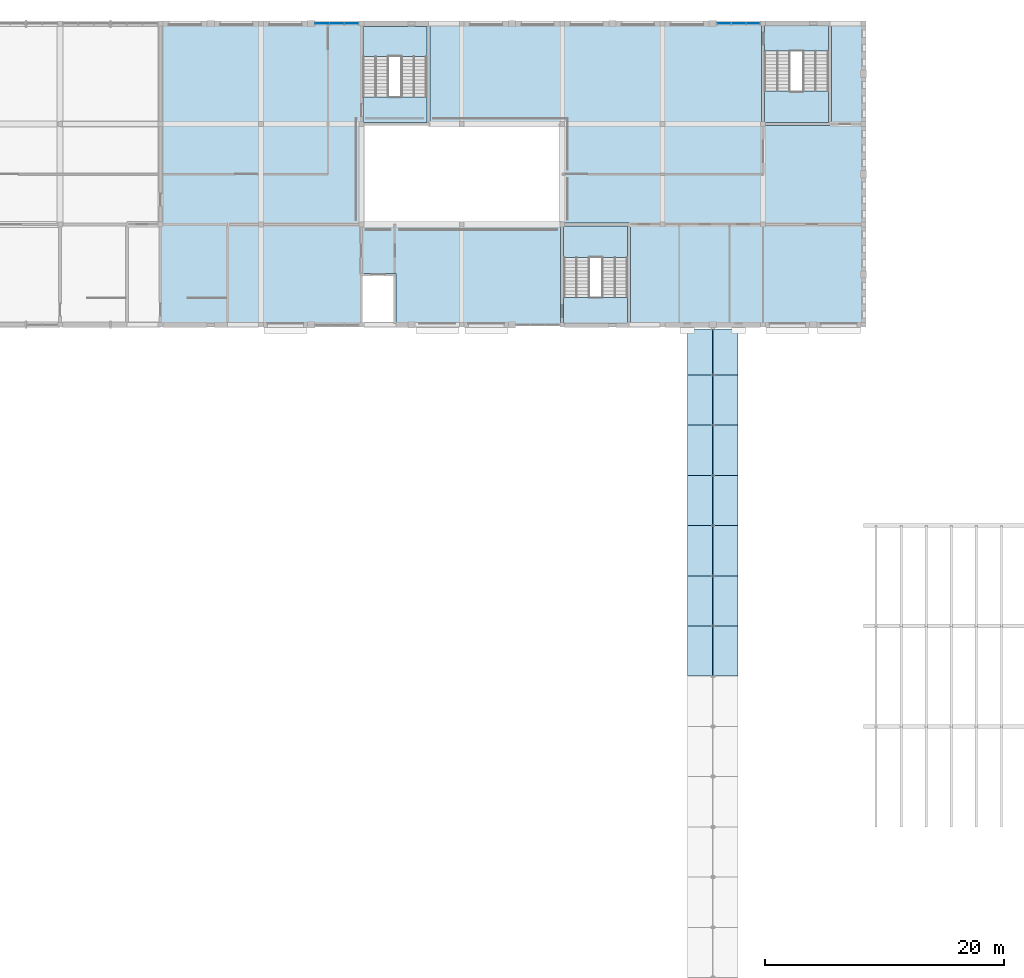
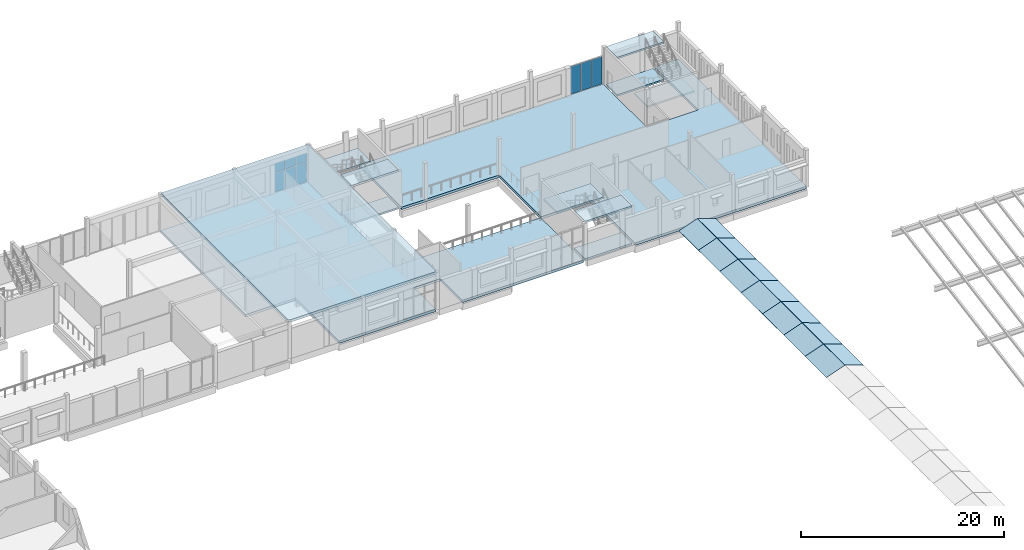
# One storey, part 22 of 38: 26 slabs, 9 plates, 5 elements without a shape of their own.
"""IFC4 building model written with IfcOpenShell, lengths in metres."""

from ifc_helpers import new_model, si_unit, direction, frame, origin, origin_2d, place, context, subcontext, project, spatial, polyline, rectangle, outline, extrude, material, layer, layer_set, type_object, element, aggregate, save


model = new_model("IFC4")

# Units and contexts
model_context = context("Model", 3, precision=1e-05, world=origin(), true_north=direction((0.0, 1.0)))
body_context = subcontext(model_context, "Body", "Model", "MODEL_VIEW")
ifc_project = project(units=[si_unit("LENGTHUNIT", "METRE"), si_unit("AREAUNIT", "SQUARE_METRE"), si_unit("VOLUMEUNIT", "CUBIC_METRE"), si_unit("PLANEANGLEUNIT", "RADIAN"), si_unit("MASSUNIT", "GRAM", prefix="KILO")], contexts=[model_context])

# Site, building, storey
site_placement = place(None, origin())
site = spatial("IfcSite", under=ifc_project, at=site_placement, CompositionType="ELEMENT")
building_placement = place(site_placement, origin())
building = spatial("IfcBuilding", under=site, at=building_placement, Name="Fescue Hill Polytechnic", CompositionType="ELEMENT")
storey_placement = place(building_placement, frame((0.0, 0.0, 18.0)))
storey = spatial("IfcBuildingStorey", under=building, at=storey_placement, Name="L04", CompositionType="ELEMENT", Elevation=18.0)

# Slabs
ifc_material_1 = material(Name="Concrete 35 MPa", Category="concrete")
ifc_layer_1 = layer(ifc_material_1, 0.300048828125)
ifc_layer_set_1 = layer_set([ifc_layer_1], Name="Concrete 35 MPa")
slab_type_1 = type_object("IfcSlabType", Name="Floor slab 300", PredefinedType="FLOOR", material=ifc_layer_set_1)
slab_1_placement = place(storey_placement, frame((0.0, 0.0, -0.300048828125)))
element("IfcSlab", 1, at=slab_1_placement, inside=storey, type_object=slab_type_1, Name="SL-L04-V4b-1", PredefinedType="FLOOR", context=body_context, shape_type="SweptSolid", body=[
    extrude(outline(polyline([(109.074951171875, 134.39990234375), (109.074951171875, 125.875), (114.925048828125, 125.875), (114.925048828125, 134.39990234375), (117.60009765625, 134.39990234375), (117.60009765625, 109.199951171875), (98.125, 109.199951171875), (98.125, 117.72509765625), (92.39990234375, 117.72509765625), (92.39990234375, 126.0), (81.324951171875, 126.0), (81.324951171875, 134.39990234375), (109.074951171875, 134.39990234375)])), origin(), (0.0, 0.0, 1.0), 0.300048828125),
])
slab_2_placement = place(storey_placement, frame((0.0, 0.0, -0.300048828125)))
element("IfcSlab", 2, at=slab_2_placement, inside=storey, type_object=slab_type_1, Name="SL-L04-V4b-2", PredefinedType="FLOOR", context=body_context, shape_type="SweptSolid", body=[
    extrude(outline(polyline([(58.800048828125, 134.39990234375), (75.47509765625, 134.39990234375), (75.47509765625, 125.875), (75.60009765625, 125.875), (75.60009765625, 117.60009765625), (92.27490234375, 117.60009765625), (92.27490234375, 109.199951171875), (78.5, 109.199951171875), (78.5, 113.5), (75.5, 113.5), (75.5, 109.199951171875), (64.52490234375, 109.199951171875), (64.52490234375, 117.72509765625), (58.800048828125, 117.72509765625), (58.800048828125, 134.39990234375)])), origin(), (0.0, 0.0, 1.0), 0.300048828125),
])

# Curtain wall, plates
ifc_material_2 = material(Name="Glass", Category="glass")
curtain_wall_type = type_object("IfcCurtainWallType", Name="Curtain wall structural glazing", PredefinedType="NOTDEFINED", material=ifc_material_2)
curtain_wall_1_placement = place(storey_placement, origin())
curtain_wall_1 = element("IfcCurtainWall", 3, at=curtain_wall_1_placement, inside=storey, type_object=curtain_wall_type, Name="CW-L04-V4b-X1", PredefinedType="NOTDEFINED")
ifc_layer_2 = layer(ifc_material_2, 0.028076171875)
ifc_layer_set_2 = layer_set([ifc_layer_2], Name="Glass")
plate_type = type_object("IfcPlateType", Name="Panel glazing 28", PredefinedType="CURTAIN_PANEL", material=ifc_layer_set_2)
plate_1_placement = place(storey_placement, frame((108.368408203125, 134.39990234375, 0.06005859375), z_axis=(0.0, 0.0, 1.0), x_axis=(-1.0, 0.0, 0.0)))
plate_1 = element("IfcPlate", 4, at=plate_1_placement, type_object=plate_type, Name="CW168 panel 1.1", PredefinedType="CURTAIN_PANEL", context=body_context, shape_type="SweptSolid", body=[
    extrude(rectangle(XDim=1.143310546875, YDim=0.028076171875, at=origin_2d()), origin(), (0.0, 0.0, 1.0), 3.31005859375),
])
plate_2_placement = place(storey_placement, frame((107.14990234375, 134.39990234375, 0.06005859375), z_axis=(0.0, 0.0, 1.0), x_axis=(-1.0, 0.0, 0.0)))
plate_2 = element("IfcPlate", 5, at=plate_2_placement, type_object=plate_type, Name="CW168 panel 2.1", PredefinedType="CURTAIN_PANEL", context=body_context, shape_type="SweptSolid", body=[
    extrude(rectangle(XDim=1.17333984375, YDim=0.028076171875, at=origin_2d()), origin(), (0.0, 0.0, 1.0), 3.31005859375),
])
plate_3_placement = place(storey_placement, frame((105.931640625, 134.39990234375, 0.06005859375), z_axis=(0.0, 0.0, 1.0), x_axis=(-1.0, 0.0, 0.0)))
plate_3 = element("IfcPlate", 6, at=plate_3_placement, type_object=plate_type, Name="CW168 panel 3.1", PredefinedType="CURTAIN_PANEL", context=body_context, shape_type="SweptSolid", body=[
    extrude(rectangle(XDim=1.143310546875, YDim=0.028076171875, at=origin_2d()), origin(), (0.0, 0.0, 1.0), 3.31005859375),
])
aggregate(curtain_wall_1, [plate_1, plate_2, plate_3])

curtain_wall_2_placement = place(storey_placement, origin())
curtain_wall_2 = element("IfcCurtainWall", 7, at=curtain_wall_2_placement, inside=storey, type_object=curtain_wall_type, Name="CW-L04-V4b-X3", PredefinedType="NOTDEFINED")
plate_4_placement = place(storey_placement, frame((74.768310546875, 134.39990234375, 0.06005859375), z_axis=(0.0, 0.0, 1.0), x_axis=(-1.0, 0.0, 0.0)))
plate_4 = element("IfcPlate", 8, at=plate_4_placement, type_object=plate_type, Name="CW175 panel 1.1", PredefinedType="CURTAIN_PANEL", context=body_context, shape_type="SweptSolid", body=[
    extrude(rectangle(XDim=1.143310546875, YDim=0.028076171875, at=origin_2d()), origin(), (0.0, 0.0, 1.0), 2.31005859375),
])
plate_5_placement = place(storey_placement, frame((74.768310546875, 134.39990234375, 2.43017578125), z_axis=(0.0, 0.0, 1.0), x_axis=(-1.0, 0.0, 0.0)))
plate_5 = element("IfcPlate", 9, at=plate_5_placement, type_object=plate_type, Name="CW175 panel 1.2", PredefinedType="CURTAIN_PANEL", context=body_context, shape_type="SweptSolid", body=[
    extrude(rectangle(XDim=1.143310546875, YDim=0.028076171875, at=origin_2d()), origin(), (0.0, 0.0, 1.0), 1.090087890625),
])
plate_6_placement = place(storey_placement, frame((73.550048828125, 134.39990234375, 0.06005859375), z_axis=(0.0, 0.0, 1.0), x_axis=(-1.0, 0.0, 0.0)))
plate_6 = element("IfcPlate", 10, at=plate_6_placement, type_object=plate_type, Name="CW175 panel 2.1", PredefinedType="CURTAIN_PANEL", context=body_context, shape_type="SweptSolid", body=[
    extrude(rectangle(XDim=1.17333984375, YDim=0.028076171875, at=origin_2d()), origin(), (0.0, 0.0, 1.0), 2.31005859375),
])
plate_7_placement = place(storey_placement, frame((73.550048828125, 134.39990234375, 2.43017578125), z_axis=(0.0, 0.0, 1.0), x_axis=(-1.0, 0.0, 0.0)))
plate_7 = element("IfcPlate", 11, at=plate_7_placement, type_object=plate_type, Name="CW175 panel 2.2", PredefinedType="CURTAIN_PANEL", context=body_context, shape_type="SweptSolid", body=[
    extrude(rectangle(XDim=1.17333984375, YDim=0.028076171875, at=origin_2d()), origin(), (0.0, 0.0, 1.0), 1.090087890625),
])
plate_8_placement = place(storey_placement, frame((72.331787109375, 134.39990234375, 0.06005859375), z_axis=(0.0, 0.0, 1.0), x_axis=(-1.0, 0.0, 0.0)))
plate_8 = element("IfcPlate", 12, at=plate_8_placement, type_object=plate_type, Name="CW175 panel 3.1", PredefinedType="CURTAIN_PANEL", context=body_context, shape_type="SweptSolid", body=[
    extrude(rectangle(XDim=1.143310546875, YDim=0.028076171875, at=origin_2d()), origin(), (0.0, 0.0, 1.0), 2.31005859375),
])
plate_9_placement = place(storey_placement, frame((72.331787109375, 134.39990234375, 2.43017578125), z_axis=(0.0, 0.0, 1.0), x_axis=(-1.0, 0.0, 0.0)))
plate_9 = element("IfcPlate", 13, at=plate_9_placement, type_object=plate_type, Name="CW175 panel 3.2", PredefinedType="CURTAIN_PANEL", context=body_context, shape_type="SweptSolid", body=[
    extrude(rectangle(XDim=1.143310546875, YDim=0.028076171875, at=origin_2d()), origin(), (0.0, 0.0, 1.0), 1.090087890625),
])
aggregate(curtain_wall_2, [plate_4, plate_5, plate_6, plate_7, plate_8, plate_9])

# Slab
ifc_layer_3 = layer(ifc_material_1, 0.300048828125)
ifc_layer_set_3 = layer_set([ifc_layer_3], Name="Concrete 35 MPa")
slab_type_2 = type_object("IfcSlabType", Name="Roof slab 300", PredefinedType="ROOF", material=ifc_layer_set_3)
slab_3_placement = place(storey_placement, frame((0.0, 0.0, 4.199951171875)))
element("IfcSlab", 14, at=slab_3_placement, inside=storey, type_object=slab_type_2, Name="RF-L04-V4b-1", PredefinedType="ROOF", context=body_context, shape_type="SweptSolid", body=[
    extrude(outline(polyline([(75.60009765625, 134.39990234375), (75.60009765625, 109.199951171875), (58.800048828125, 109.199951171875), (58.800048828125, 134.39990234375), (75.60009765625, 134.39990234375)])), origin(), (0.0, 0.0, 1.0), 0.300048828125),
])

# Stair, slabs
stair_type = type_object("IfcStairType", Name="Half-turn stair 2150 flights", PredefinedType="HALF_TURN_STAIR", material=ifc_material_1)
stair_1_placement = place(storey_placement, origin())
stair_1 = element("IfcStair", 15, at=stair_1_placement, inside=storey, type_object=stair_type, Name="L04 ST-V4b-2 stair", PredefinedType="HALF_TURN_STAIR")
ifc_layer_4 = layer(ifc_material_1, 0.199951171875)
ifc_layer_set_4 = layer_set([ifc_layer_4], Name="Concrete 35 MPa")
slab_type_3 = type_object("IfcSlabType", Name="Stair landing slab 200", PredefinedType="LANDING", material=ifc_layer_set_4)
slab_4_placement = place(storey_placement, frame((0.0, 0.0, 2.050048828125)))
slab_4 = element("IfcSlab", 16, at=slab_4_placement, type_object=slab_type_3, Name="S23 landing 1", PredefinedType="LANDING", context=body_context, shape_type="SweptSolid", body=[
    extrude(outline(polyline([(109.324951171875, 126.125), (114.675048828125, 126.125), (114.675048828125, 128.739990234375), (109.324951171875, 128.739990234375), (109.324951171875, 126.125)])), origin(), (0.0, 0.0, 1.0), 0.199951171875),
])
slab_5_placement = place(storey_placement, frame((0.0, 0.0, -0.199951171875)))
slab_5 = element("IfcSlab", 17, at=slab_5_placement, type_object=slab_type_3, Name="S23 landing 2", PredefinedType="LANDING", context=body_context, shape_type="SweptSolid", body=[
    extrude(outline(polyline([(109.324951171875, 132.10009765625), (114.675048828125, 132.10009765625), (114.675048828125, 134.25), (109.324951171875, 134.25), (109.324951171875, 132.10009765625)])), origin(), (0.0, 0.0, 1.0), 0.199951171875),
])
slab_6_placement = place(storey_placement, frame((0.0, 0.0, 4.300048828125)))
slab_6 = element("IfcSlab", 18, at=slab_6_placement, type_object=slab_type_3, Name="S23 landing 3", PredefinedType="LANDING", context=body_context, shape_type="SweptSolid", body=[
    extrude(outline(polyline([(109.324951171875, 132.10009765625), (114.675048828125, 132.10009765625), (114.675048828125, 134.25), (109.324951171875, 134.25), (109.324951171875, 132.10009765625)])), origin(), (0.0, 0.0, 1.0), 0.199951171875),
])
aggregate(stair_1, [slab_4, slab_5, slab_6])

stair_2_placement = place(storey_placement, origin())
stair_2 = element("IfcStair", 19, at=stair_2_placement, inside=storey, type_object=stair_type, Name="L04 ST-V4b-3 stair", PredefinedType="HALF_TURN_STAIR")
slab_7_placement = place(storey_placement, frame((0.0, 0.0, 2.050048828125)))
slab_7 = element("IfcSlab", 20, at=slab_7_placement, type_object=slab_type_3, Name="S24 landing 1", PredefinedType="LANDING", context=body_context, shape_type="SweptSolid", body=[
    extrude(outline(polyline([(92.52490234375, 114.8349609375), (97.875, 114.8349609375), (97.875, 117.47509765625), (92.52490234375, 117.47509765625), (92.52490234375, 114.8349609375)])), origin(), (0.0, 0.0, 1.0), 0.199951171875),
])
slab_8_placement = place(storey_placement, frame((0.0, 0.0, -0.199951171875)))
slab_8 = element("IfcSlab", 21, at=slab_8_placement, type_object=slab_type_3, Name="S24 landing 2", PredefinedType="LANDING", context=body_context, shape_type="SweptSolid", body=[
    extrude(outline(polyline([(92.52490234375, 109.324951171875), (97.875, 109.324951171875), (97.875, 111.47509765625), (92.52490234375, 111.47509765625), (92.52490234375, 109.324951171875)])), origin(), (0.0, 0.0, 1.0), 0.199951171875),
])
slab_9_placement = place(storey_placement, frame((0.0, 0.0, 4.300048828125)))
slab_9 = element("IfcSlab", 22, at=slab_9_placement, type_object=slab_type_3, Name="S24 landing 3", PredefinedType="LANDING", context=body_context, shape_type="SweptSolid", body=[
    extrude(outline(polyline([(92.52490234375, 109.324951171875), (97.875, 109.324951171875), (97.875, 111.47509765625), (92.52490234375, 111.47509765625), (92.52490234375, 109.324951171875)])), origin(), (0.0, 0.0, 1.0), 0.199951171875),
])
aggregate(stair_2, [slab_7, slab_8, slab_9])

stair_3_placement = place(storey_placement, origin())
stair_3 = element("IfcStair", 23, at=stair_3_placement, inside=storey, type_object=stair_type, Name="L04 ST-V4b-4 stair", PredefinedType="HALF_TURN_STAIR")
slab_10_placement = place(storey_placement, frame((0.0, 0.0, 2.050048828125)))
slab_10 = element("IfcSlab", 24, at=slab_10_placement, type_object=slab_type_3, Name="S25 landing 1", PredefinedType="LANDING", context=body_context, shape_type="SweptSolid", body=[
    extrude(outline(polyline([(75.72509765625, 131.635009765625), (81.074951171875, 131.635009765625), (81.074951171875, 134.175048828125), (75.72509765625, 134.175048828125), (75.72509765625, 131.635009765625)])), origin(), (0.0, 0.0, 1.0), 0.199951171875),
])
slab_11_placement = place(storey_placement, frame((0.0, 0.0, -0.199951171875)))
slab_11 = element("IfcSlab", 25, at=slab_11_placement, type_object=slab_type_3, Name="S25 landing 2", PredefinedType="LANDING", context=body_context, shape_type="SweptSolid", body=[
    extrude(outline(polyline([(75.72509765625, 126.125), (81.074951171875, 126.125), (81.074951171875, 128.27490234375), (75.72509765625, 128.27490234375), (75.72509765625, 126.125)])), origin(), (0.0, 0.0, 1.0), 0.199951171875),
])
slab_12_placement = place(storey_placement, frame((0.0, 0.0, 4.300048828125)))
slab_12 = element("IfcSlab", 26, at=slab_12_placement, type_object=slab_type_3, Name="S25 landing 3", PredefinedType="LANDING", context=body_context, shape_type="SweptSolid", body=[
    extrude(outline(polyline([(75.72509765625, 126.125), (81.074951171875, 126.125), (81.074951171875, 128.27490234375), (75.72509765625, 128.27490234375), (75.72509765625, 126.125)])), origin(), (0.0, 0.0, 1.0), 0.199951171875),
])
aggregate(stair_3, [slab_10, slab_11, slab_12])

# Slabs
ifc_layer_5 = layer(ifc_material_2, 0.030029296875)
ifc_layer_set_5 = layer_set([ifc_layer_5], Name="Glass")
slab_type_4 = type_object("IfcSlabType", Name="Winter garden roof glazing 30", PredefinedType="ROOF", material=ifc_layer_set_5)
for number, where, z_axis, x_axis, name in (
    (27, (102.899658203125, 79.800048828125, 0.0224609375), (-0.336329413726, 0.0, 0.941744405591), (0.0, 1.0, 0.0), "Winter garden roof glazing"),
    (28, (102.899658203125, 84.0, 0.0224609375), (-0.336329413726, 0.0, 0.941744405591), (0.0, 1.0, 0.0), "Winter garden roof glazing"),
    (29, (102.899658203125, 88.199951171875, 0.0224609375), (-0.336329413726, 0.0, 0.941744405591), (0.0, 1.0, 0.0), "Winter garden roof glazing"),
):
    element("IfcSlab", number, at=place(storey_placement, frame(where, z_axis=z_axis, x_axis=x_axis)), inside=storey, type_object=slab_type_4, Name=name, PredefinedType="ROOF", context=body_context, shape_type="SweptSolid", body=[
        extrude(outline(polyline([(0.0, 0.0), (4.199951171875, 0.0), (4.199951171875, -2.2147127681263368), (0.0, -2.2147127681263368), (0.0, 0.0)])), origin(), (0.0, 0.0, -1.0), 0.030029296875),
    ])
slab_13_placement = place(storey_placement, frame((102.899658203125, 92.39990234375, 0.0224609375), z_axis=(-0.336329413726, 0.0, 0.941744405591), x_axis=(0.0, 1.0, 0.0)))
element("IfcSlab", 30, at=slab_13_placement, inside=storey, type_object=slab_type_4, Name="Winter garden roof glazing", PredefinedType="ROOF", context=body_context, shape_type="SweptSolid", body=[
    extrude(outline(polyline([(0.0, 0.0), (4.2001953125, 0.0), (4.2001953125, -2.2147127681263363), (0.0, -2.2147127681263363), (0.0, 0.0)])), origin(), (0.0, 0.0, -1.0), 0.030029296875),
])
for number, where, z_axis, x_axis, name in (
    (31, (102.899658203125, 96.60009765625, 0.0224609375), (-0.336329413726, 0.0, 0.941744405591), (0.0, 1.0, 0.0), "Winter garden roof glazing"),
    (32, (102.899658203125, 100.800048828125, 0.0224609375), (-0.336329413726, 0.0, 0.941744405591), (0.0, 1.0, 0.0), "Winter garden roof glazing"),
):
    element("IfcSlab", number, at=place(storey_placement, frame(where, z_axis=z_axis, x_axis=x_axis)), inside=storey, type_object=slab_type_4, Name=name, PredefinedType="ROOF", context=body_context, shape_type="SweptSolid", body=[
        extrude(outline(polyline([(0.0, 0.0), (4.199951171875, 0.0), (4.199951171875, -2.2147127681263368), (0.0, -2.2147127681263368), (0.0, 0.0)])), origin(), (0.0, 0.0, -1.0), 0.030029296875),
    ])
slab_14_placement = place(storey_placement, frame((102.899658203125, 105.0, 0.0224609375), z_axis=(-0.336329413726, 0.0, 0.941744405591), x_axis=(0.0, 1.0, 0.0)))
element("IfcSlab", 33, at=slab_14_placement, inside=storey, type_object=slab_type_4, Name="Winter garden roof glazing", PredefinedType="ROOF", context=body_context, shape_type="SweptSolid", body=[
    extrude(outline(polyline([(0.0, 0.0), (3.85009765625, 0.0), (3.85009765625, -2.2147127681263363), (0.0, -2.2147127681263363), (0.0, 0.0)])), origin(), (0.0, 0.0, -1.0), 0.030029296875),
])
for number, where, z_axis, x_axis, name in (
    (34, (107.100341796875, 79.800048828125, 0.0224609375), (0.336329413726, 0.0, 0.941744405591), (0.0, 1.0, 0.0), "Winter garden roof glazing"),
    (35, (107.100341796875, 84.0, 0.0224609375), (0.336329413726, 0.0, 0.941744405591), (0.0, 1.0, 0.0), "Winter garden roof glazing"),
    (36, (107.100341796875, 88.199951171875, 0.0224609375), (0.336329413726, 0.0, 0.941744405591), (0.0, 1.0, 0.0), "Winter garden roof glazing"),
):
    element("IfcSlab", number, at=place(storey_placement, frame(where, z_axis=z_axis, x_axis=x_axis)), inside=storey, type_object=slab_type_4, Name=name, PredefinedType="ROOF", context=body_context, shape_type="SweptSolid", body=[
        extrude(outline(polyline([(0.0, 0.0), (4.199951171875, 0.0), (4.199951171875, 2.2147127681263368), (0.0, 2.2147127681263368), (0.0, 0.0)])), origin(), (0.0, 0.0, -1.0), 0.030029296875),
    ])
slab_15_placement = place(storey_placement, frame((107.100341796875, 92.39990234375, 0.0224609375), z_axis=(0.336329413726, 0.0, 0.941744405591), x_axis=(0.0, 1.0, 0.0)))
element("IfcSlab", 37, at=slab_15_placement, inside=storey, type_object=slab_type_4, Name="Winter garden roof glazing", PredefinedType="ROOF", context=body_context, shape_type="SweptSolid", body=[
    extrude(outline(polyline([(0.0, 0.0), (4.2001953125, 0.0), (4.2001953125, 2.2147127681263363), (0.0, 2.2147127681263363), (0.0, 0.0)])), origin(), (0.0, 0.0, -1.0), 0.030029296875),
])
for number, where, z_axis, x_axis, name in (
    (38, (107.100341796875, 96.60009765625, 0.0224609375), (0.336329413726, 0.0, 0.941744405591), (0.0, 1.0, 0.0), "Winter garden roof glazing"),
    (39, (107.100341796875, 100.800048828125, 0.0224609375), (0.336329413726, 0.0, 0.941744405591), (0.0, 1.0, 0.0), "Winter garden roof glazing"),
):
    element("IfcSlab", number, at=place(storey_placement, frame(where, z_axis=z_axis, x_axis=x_axis)), inside=storey, type_object=slab_type_4, Name=name, PredefinedType="ROOF", context=body_context, shape_type="SweptSolid", body=[
        extrude(outline(polyline([(0.0, 0.0), (4.199951171875, 0.0), (4.199951171875, 2.2147127681263368), (0.0, 2.2147127681263368), (0.0, 0.0)])), origin(), (0.0, 0.0, -1.0), 0.030029296875),
    ])
slab_16_placement = place(storey_placement, frame((107.100341796875, 105.0, 0.0224609375), z_axis=(0.336329413726, 0.0, 0.941744405591), x_axis=(0.0, 1.0, 0.0)))
element("IfcSlab", 40, at=slab_16_placement, inside=storey, type_object=slab_type_4, Name="Winter garden roof glazing", PredefinedType="ROOF", context=body_context, shape_type="SweptSolid", body=[
    extrude(outline(polyline([(0.0, 0.0), (3.85009765625, 0.0), (3.85009765625, 2.2147127681263363), (0.0, 2.2147127681263363), (0.0, 0.0)])), origin(), (0.0, 0.0, -1.0), 0.030029296875),
])

save(model, "model.ifc")
